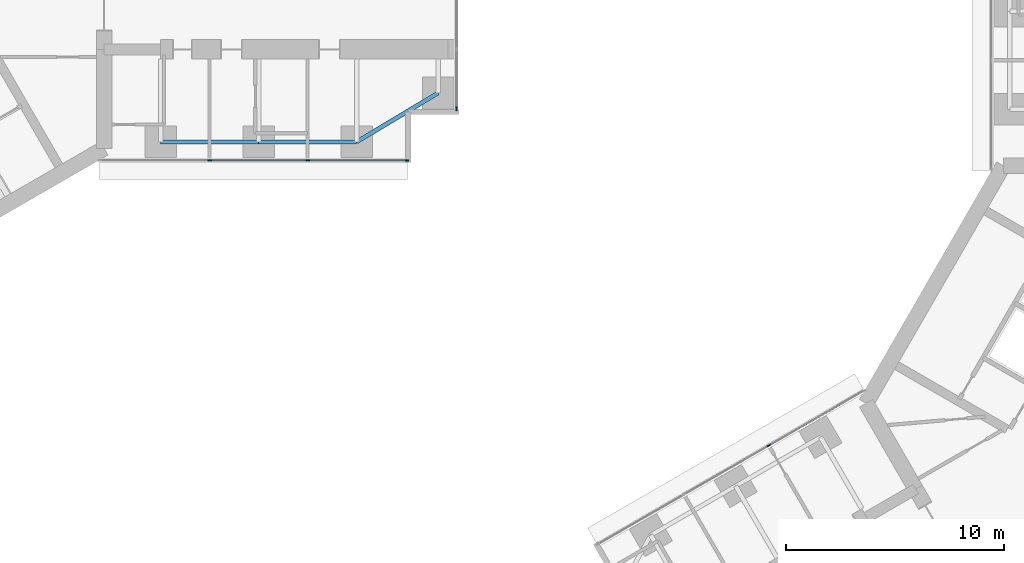
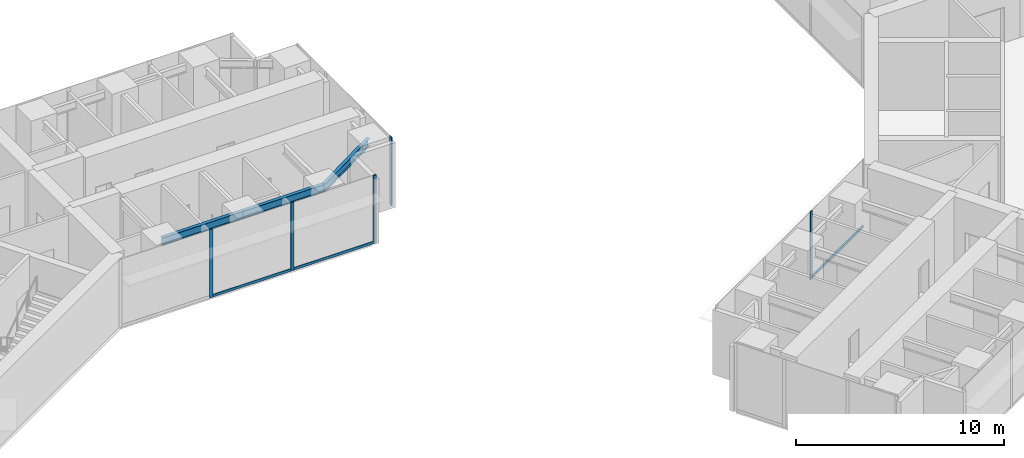
# One storey, part 5 of 24: 8 members, 3 beams, 3 elements without a shape of their own.
"""IFC4 building model written with IfcOpenShell, lengths in metres."""

import ifcopenshell
import ifcopenshell.guid

model = None  # the IFC model being written
_history = None  # IfcOwnerHistory: only IFC2X3 demands one
_inside = {}  # id of a spatial element -> (the spatial element, [elements in it])
_under = {}  # id of a project, library or spatial element -> (it, [spatial elements below it])
_declared = {}  # id of a project -> (the project, [libraries it declares])
_typed = {}  # id of a type object -> (the type object, [elements of that type])
_made_of = {}  # id of a material, layer set ... -> (it, [elements and type objects made of it])


def new_model(schema):
    """Start an empty IFC model of exactly this schema.

    Asked for "IFC4X3", IfcOpenShell would pick the latest addendum, in which some entities
    have other attributes; the version numbers below select the first issue.
    IFC2X3 requires an IfcOwnerHistory on every rooted entity: one is made here for all.
    """
    global model, _history
    if schema == "IFC4X3":
        model = ifcopenshell.file(schema_version=(4, 3, 0, 0))
    else:
        model = ifcopenshell.file(schema=schema)
    _inside.clear()
    _under.clear()
    _declared.clear()
    _typed.clear()
    _made_of.clear()
    _history = None
    if model.schema == "IFC2X3":
        org = make("IfcOrganization", Name="unknown")
        user = make(
            "IfcPersonAndOrganization",
            ThePerson=make("IfcPerson", FamilyName="unknown"),
            TheOrganization=org,
        )
        app = make(
            "IfcApplication",
            ApplicationDeveloper=org,
            Version="unknown",
            ApplicationFullName="unknown",
            ApplicationIdentifier="unknown",
        )
        _history = make(
            "IfcOwnerHistory",
            OwningUser=user,
            OwningApplication=app,
            ChangeAction="ADDED",
            CreationDate=0,
        )
    return model


def make(cls, **values):
    """One entity of the class cls with the attributes given. An attribute that is None is left unset."""
    return model.create_entity(
        cls, **{name: value for name, value in values.items() if value is not None}
    )


def rooted(cls, **values):
    """An entity with a GlobalId (a new one), such as an element, a storey or a relation."""
    return make(cls, GlobalId=ifcopenshell.guid.new(), OwnerHistory=_history, **values)


def si_unit(unit_type, name, prefix=None):
    """IfcSIUnit, for example si_unit("LENGTHUNIT", "METRE", prefix="MILLI")."""
    return make("IfcSIUnit", UnitType=unit_type, Prefix=prefix, Name=name)


def assignment(units):
    """IfcUnitAssignment: the units of a project."""
    return None if units is None else make("IfcUnitAssignment", Units=units)


def point(xyz):
    """IfcCartesianPoint."""
    return None if xyz is None else make("IfcCartesianPoint", Coordinates=xyz)


def direction(xyz):
    """IfcDirection."""
    return None if xyz is None else make("IfcDirection", DirectionRatios=xyz)


def frame(location, z_axis=None, x_axis=None):
    """IfcAxis2Placement3D, a coordinate frame: its origin and axes. An axis left out is left unset."""
    return make(
        "IfcAxis2Placement3D",
        Location=point(location),
        Axis=direction(z_axis),
        RefDirection=direction(x_axis),
    )


def frame_2d(location, x_axis=None):
    """IfcAxis2Placement2D, a coordinate frame in the plane: its origin and x axis."""
    return make(
        "IfcAxis2Placement2D", Location=point(location), RefDirection=direction(x_axis)
    )


def origin():
    """The frame at (0, 0, 0) with its axes left unset."""
    return frame((0.0, 0.0, 0.0))


def origin_2d():
    """The frame at (0, 0) in the plane with its x axis left unset."""
    return frame_2d((0.0, 0.0))


def place(relative_to, where):
    """IfcLocalPlacement: puts the frame where relative to a parent placement (None: the world)."""
    return make(
        "IfcLocalPlacement", PlacementRelTo=relative_to, RelativePlacement=where
    )


def context(
    kind, dimensions, precision=None, world=None, true_north=None, identifier=None
):
    """IfcGeometricRepresentationContext, for example the 3D "Model" context."""
    return make(
        "IfcGeometricRepresentationContext",
        ContextIdentifier=identifier,
        ContextType=kind,
        CoordinateSpaceDimension=dimensions,
        Precision=precision,
        WorldCoordinateSystem=world,
        TrueNorth=true_north,
    )


def subcontext(parent, identifier, kind, view, scale=None):
    """IfcGeometricRepresentationSubContext, for example "Body" below "Model"."""
    return make(
        "IfcGeometricRepresentationSubContext",
        ContextIdentifier=identifier,
        ContextType=kind,
        ParentContext=parent,
        TargetScale=scale,
        TargetView=view,
    )


def project(units=None, contexts=None):
    """IfcProject with its units and contexts."""
    return rooted(
        "IfcProject",
        Name="project",
        RepresentationContexts=contexts,
        UnitsInContext=assignment(units),
    )


def spatial(cls, under=None, at=None, **own):
    """A site, building, storey or space (cls), placed at a placement, below another one or the project."""
    s = rooted(cls, ObjectPlacement=at, **own)
    if under is not None:
        _under.setdefault(under.id(), (under, []))[1].append(s)
    return s


def profile(cls, at=None, kind="AREA", **sizes):
    """A parametric profile (cls). Its sizes go by their IFC names, for example OverallWidth=200.0."""
    return make(cls, ProfileType=kind, Position=at, **sizes)


def rectangle(**sizes):
    """IfcRectangleProfileDef."""
    return profile("IfcRectangleProfileDef", **sizes)


def i_section(**sizes):
    """IfcIShapeProfileDef."""
    return profile("IfcIShapeProfileDef", **sizes)


def extrude(swept, where, along, depth):
    """IfcExtrudedAreaSolid: the profile swept, set in the frame where, extruded along a direction by depth."""
    return make(
        "IfcExtrudedAreaSolid",
        SweptArea=swept,
        Position=where,
        ExtrudedDirection=direction(along),
        Depth=depth,
    )


def shape(context_of_items, identifier, shape_type, items):
    """IfcShapeRepresentation: the items that make up one representation, for example the "Body"."""
    return make(
        "IfcShapeRepresentation",
        ContextOfItems=context_of_items,
        RepresentationIdentifier=identifier,
        RepresentationType=shape_type,
        Items=items,
    )


def material(Name=None, Category=None):
    """IfcMaterial."""
    return make("IfcMaterial", Name=Name, Category=Category)


def material_profile(
    of_material, cross_section, Name=None, Category=None, Priority=None
):
    """IfcMaterialProfile: a cross section and its material."""
    return make(
        "IfcMaterialProfile",
        Name=Name,
        Material=of_material,
        Profile=cross_section,
        Priority=Priority,
        Category=Category,
    )


def profile_set(profiles, Name=None, composite=None):
    """IfcMaterialProfileSet."""
    return make(
        "IfcMaterialProfileSet",
        Name=Name,
        MaterialProfiles=profiles,
        CompositeProfile=composite,
    )


def made_of(thing, what):
    """Note that an element or type object is made of a material, layer set ...; save() writes the relation."""
    if what is not None:
        _made_of.setdefault(what.id(), (what, []))[1].append(thing)
    return thing


def type_object(cls, material=None, **own):
    """A type object (cls), such as IfcWallType, which elements share."""
    return made_of(rooted(cls, **own), material)


def element(
    cls,
    number,
    at=None,
    inside=None,
    cuts=None,
    type_object=None,
    material=None,
    context=None,
    identifier="Body",
    shape_type=None,
    held_by="IfcProductDefinitionShape",
    body=None,
    shapes=None,
    **own,
):
    """One element of the class cls, such as IfcWall. Its Tag is "e" and its number.

    at: its placement. inside: the storey or other place that contains it. cuts: it is an
    opening in that element (IfcRelVoidsElement). A single representation is given by context,
    identifier, shape_type and body (its items); several are given by shapes. held_by: the class
    of the entity that holds the representations. save() writes the other relations.
    """
    e = rooted(cls, Tag="e%d" % number, ObjectPlacement=at, **own)
    if body is not None:
        shapes = [shape(context, identifier, shape_type, body)]
    if shapes is not None:
        e.Representation = make(held_by, Representations=shapes)
    if inside is not None:
        _inside.setdefault(inside.id(), (inside, []))[1].append(e)
    if cuts is not None:
        rooted(
            "IfcRelVoidsElement", RelatingBuildingElement=cuts, RelatedOpeningElement=e
        )
    if type_object is not None:
        _typed.setdefault(type_object.id(), (type_object, []))[1].append(e)
    return made_of(e, material)


def aggregate(whole, parts):
    """IfcRelAggregates: a whole, such as a stair, and the parts it consists of."""
    return rooted("IfcRelAggregates", RelatingObject=whole, RelatedObjects=parts)


def save(model, path):
    """Write the relations noted so far, then the file.

    IfcRelAggregates (storeys below a building ...), IfcRelContainedInSpatialStructure (elements
    in a storey), IfcRelDefinesByType, IfcRelAssociatesMaterial and IfcRelDeclares: one each for
    every whole, place, type object, material and project.
    """
    for whole, parts in _under.values():
        aggregate(whole, parts)
    for where, things in _inside.values():
        rooted(
            "IfcRelContainedInSpatialStructure",
            RelatedElements=things,
            RelatingStructure=where,
        )
    for kind, things in _typed.values():
        rooted("IfcRelDefinesByType", RelatedObjects=things, RelatingType=kind)
    for what, things in _made_of.values():
        rooted("IfcRelAssociatesMaterial", RelatedObjects=things, RelatingMaterial=what)
    for by, libraries in _declared.values():
        rooted("IfcRelDeclares", RelatingContext=by, RelatedDefinitions=libraries)
    model.write(path)


model = new_model("IFC4")

# Units and contexts
model_context = context("Model", 3, precision=1e-05, world=origin(), true_north=direction((0.0, 1.0)))
body_context = subcontext(model_context, "Body", "Model", "MODEL_VIEW")
ifc_project = project(units=[si_unit("LENGTHUNIT", "METRE"), si_unit("AREAUNIT", "SQUARE_METRE"), si_unit("VOLUMEUNIT", "CUBIC_METRE"), si_unit("PLANEANGLEUNIT", "RADIAN"), si_unit("MASSUNIT", "GRAM", prefix="KILO")], contexts=[model_context])

# Site, building, storey
site_placement = place(None, origin())
site = spatial("IfcSite", under=ifc_project, at=site_placement, CompositionType="ELEMENT")
building_placement = place(site_placement, origin())
building = spatial("IfcBuilding", under=site, at=building_placement, Name="Upepo Twin Towers", CompositionType="ELEMENT")
storey_placement = place(building_placement, frame((0.0, 0.0, 64.5)))
storey = spatial("IfcBuildingStorey", under=building, at=storey_placement, Name="L15", CompositionType="ELEMENT", Elevation=64.5)

# Beams
ifc_material_1 = material(Name="Steel S355", Category="steel")
ifc_material_profile_1 = material_profile(ifc_material_1, i_section(OverallWidth=0.1904296875, OverallDepth=0.45703125, WebThickness=0.009033203125, FlangeThickness=0.014404296875, FilletRadius=0.01025390625, at=origin_2d()), Name="UB 457x191x74")
ifc_profile_set_1 = profile_set([ifc_material_profile_1], Name="Steel S355")
beam_type = type_object("IfcBeamType", Name="Beam UB 457x191x74", PredefinedType="BEAM", material=ifc_profile_set_1)
for number, where, z_axis, x_axis, name in (
    (1, (13.5, -6.0, 3.571533203125), (1.0, 0.0, 0.0), (0.0, 1.0, 0.0), "T1 edge beam AR 13.5-18.0"),
    (2, (18.0, -6.0, 3.571533203125), (1.0, 0.0, 0.0), (0.0, 1.0, 0.0), "T1 edge beam AR 18.0-22.5"),
):
    element("IfcBeam", number, at=place(storey_placement, frame(where, z_axis=z_axis, x_axis=x_axis)), inside=storey, type_object=beam_type, Name=name, PredefinedType="BEAM", context=body_context, shape_type="SweptSolid", body=[
        extrude(i_section(OverallWidth=0.1904296875, OverallDepth=0.45703125, WebThickness=0.009033203125, FlangeThickness=0.014404296875, FilletRadius=0.01025390625, at=origin_2d()), origin(), (0.0, 0.0, 1.0), 4.5),
    ])
beam_placement = place(storey_placement, frame((22.5, -6.0, 3.571533203125), z_axis=(0.857492925713, 0.514495755428, 0.0), x_axis=(-0.514495755428, 0.857492925713, 0.0)))
element("IfcBeam", 3, at=beam_placement, inside=storey, type_object=beam_type, Name="T1 nose edge beam AR", PredefinedType="BEAM", context=body_context, shape_type="SweptSolid", body=[
    extrude(i_section(OverallWidth=0.1904296875, OverallDepth=0.45703125, WebThickness=0.009033203125, FlangeThickness=0.014404296875, FilletRadius=0.01025390625, at=origin_2d()), origin(), (0.0, 0.0, 1.0), 4.373291015625),
])

# Curtain wall, members
ifc_material_2 = material(Name="Aluminium and fritted glass", Category="aluminium")
curtain_wall_type = type_object("IfcCurtainWallType", Name="Tower curtain wall TW1, fritted glass", PredefinedType="NOTDEFINED", material=ifc_material_2)
curtain_wall_1_placement = place(storey_placement, origin())
curtain_wall_1 = element("IfcCurtainWall", 4, at=curtain_wall_1_placement, inside=storey, type_object=curtain_wall_type, Name="T1 L15 wing A flank R curtain wall", PredefinedType="NOTDEFINED")
ifc_material_3 = material(Name="Aluminium mullion", Category="aluminium")
ifc_material_profile_2 = material_profile(ifc_material_3, rectangle(XDim=0.06494140625, YDim=0.179931640625, at=origin_2d()), Name="MULLION 65x180")
ifc_profile_set_2 = profile_set([ifc_material_profile_2], Name="Aluminium mullion")
member_type_1 = type_object("IfcMemberType", Name="Mullion 65x180 TW1", PredefinedType="MULLION", material=ifc_profile_set_2)
member_1_placement = place(storey_placement, frame((24.8173828125, -6.85009765625, 0.0), z_axis=(0.0, 0.0, 1.0), x_axis=(0.0, -1.0, 0.0)))
member_1 = element("IfcMember", 5, at=member_1_placement, type_object=member_type_1, Name="T1 L15 wing A flank R curtain wall mullion 1", PredefinedType="MULLION", context=body_context, shape_type="SweptSolid", body=[
    extrude(rectangle(XDim=0.06494140625, YDim=0.179931640625, at=origin_2d()), origin(), (0.0, 0.0, 1.0), 4.0),
])
member_2_placement = place(storey_placement, frame((20.25, -6.85009765625, 0.0), z_axis=(0.0, 0.0, 1.0), x_axis=(0.0, -1.0, 0.0)))
member_2 = element("IfcMember", 6, at=member_2_placement, type_object=member_type_1, Name="T1 L15 wing A flank R curtain wall mullion 2", PredefinedType="MULLION", context=body_context, shape_type="SweptSolid", body=[
    extrude(rectangle(XDim=0.06494140625, YDim=0.179931640625, at=origin_2d()), origin(), (0.0, 0.0, 1.0), 4.0),
])
member_3_placement = place(storey_placement, frame((15.75, -6.85009765625, 0.0), z_axis=(0.0, 0.0, 1.0), x_axis=(0.0, -1.0, 0.0)))
member_3 = element("IfcMember", 7, at=member_3_placement, type_object=member_type_1, Name="T1 L15 wing A flank R curtain wall mullion 3", PredefinedType="MULLION", context=body_context, shape_type="SweptSolid", body=[
    extrude(rectangle(XDim=0.06494140625, YDim=0.179931640625, at=origin_2d()), origin(), (0.0, 0.0, 1.0), 4.0),
])

# Curtain wall, member
curtain_wall_2_placement = place(storey_placement, origin())
curtain_wall_2 = element("IfcCurtainWall", 8, at=curtain_wall_2_placement, inside=storey, type_object=curtain_wall_type, Name="T1 L15 wing A nose curtain wall", PredefinedType="NOTDEFINED")
member_4_placement = place(storey_placement, frame((27.10009765625, -4.467529296875, 0.0), z_axis=(0.0, 0.0, 1.0), x_axis=(-1.0, 0.0, 0.0)))
member_4 = element("IfcMember", 9, at=member_4_placement, type_object=member_type_1, Name="T1 L15 wing A nose curtain wall mullion 1", PredefinedType="MULLION", context=body_context, shape_type="SweptSolid", body=[
    extrude(rectangle(XDim=0.06494140625, YDim=0.179931640625, at=origin_2d()), origin(), (0.0, 0.0, 1.0), 4.0),
])
aggregate(curtain_wall_2, [member_4])

curtain_wall_3_placement = place(storey_placement, origin())
curtain_wall_3 = element("IfcCurtainWall", 10, at=curtain_wall_3_placement, inside=storey, type_object=curtain_wall_type, Name="T2 L15 wing B flank R curtain wall", PredefinedType="NOTDEFINED")
member_5_placement = place(storey_placement, frame((41.43505859375, -19.942626953125, 0.0), z_axis=(0.0, 0.0, 1.0), x_axis=(-0.500000024426, 0.866025389682, 0.0)))
member_5 = element("IfcMember", 11, at=member_5_placement, type_object=member_type_1, Name="T2 L15 wing B flank R curtain wall mullion 3", PredefinedType="MULLION", context=body_context, shape_type="SweptSolid", body=[
    extrude(rectangle(XDim=0.06494140625, YDim=0.179931640625, at=origin_2d()), origin(), (0.0, 0.0, 1.0), 4.0),
])

# Member
ifc_material_4 = material(Name="Aluminium transom", Category="aluminium")
ifc_material_profile_3 = material_profile(ifc_material_4, rectangle(XDim=0.06494140625, YDim=0.14990234375, at=origin_2d()), Name="TRANSOM 65x150")
ifc_profile_set_3 = profile_set([ifc_material_profile_3], Name="Aluminium transom")
member_type_2 = type_object("IfcMemberType", Name="Transom 65x150 TW1", PredefinedType="USERDEFINED", material=ifc_profile_set_3)
member_6_placement = place(storey_placement, frame((24.784912109375, -6.85009765625, 0.074951171875), z_axis=(-1.0, 0.0, 0.0), x_axis=(0.0, -1.0, 0.0)))
member_6 = element("IfcMember", 12, at=member_6_placement, type_object=member_type_2, Name="T1 L15 wing A flank R curtain wall transom 1", ObjectType="TRANSOM", PredefinedType="USERDEFINED", context=body_context, shape_type="SweptSolid", body=[
    extrude(rectangle(XDim=0.06494140625, YDim=0.14990234375, at=origin_2d()), origin(), (0.0, 0.0, 1.0), 4.50244140625),
])

member_7_placement = place(storey_placement, frame((20.217529296875, -6.85009765625, 0.074951171875), z_axis=(-1.0, 0.0, 0.0), x_axis=(0.0, -1.0, 0.0)))
member_7 = element("IfcMember", 13, at=member_7_placement, type_object=member_type_2, Name="T1 L15 wing A flank R curtain wall transom 2", ObjectType="TRANSOM", PredefinedType="USERDEFINED", context=body_context, shape_type="SweptSolid", body=[
    extrude(rectangle(XDim=0.06494140625, YDim=0.14990234375, at=origin_2d()), origin(), (0.0, 0.0, 1.0), 4.43505859375),
])

aggregate(curtain_wall_1, [member_1, member_2, member_3, member_6, member_7])

member_8_placement = place(storey_placement, frame((41.463134765625, -19.926513671875, 0.074951171875), z_axis=(0.866034933967, 0.499983492876, 0.0), x_axis=(-0.499983492876, 0.866034933967, 0.0)))
member_8 = element("IfcMember", 14, at=member_8_placement, type_object=member_type_2, Name="T2 L15 wing B flank R curtain wall transom 3", ObjectType="TRANSOM", PredefinedType="USERDEFINED", context=body_context, shape_type="SweptSolid", body=[
    extrude(rectangle(XDim=0.06494140625, YDim=0.14990234375, at=origin_2d()), origin(), (0.0, 0.0, 1.0), 4.965576171875),
])

aggregate(curtain_wall_3, [member_5, member_8])

save(model, "model.ifc")
